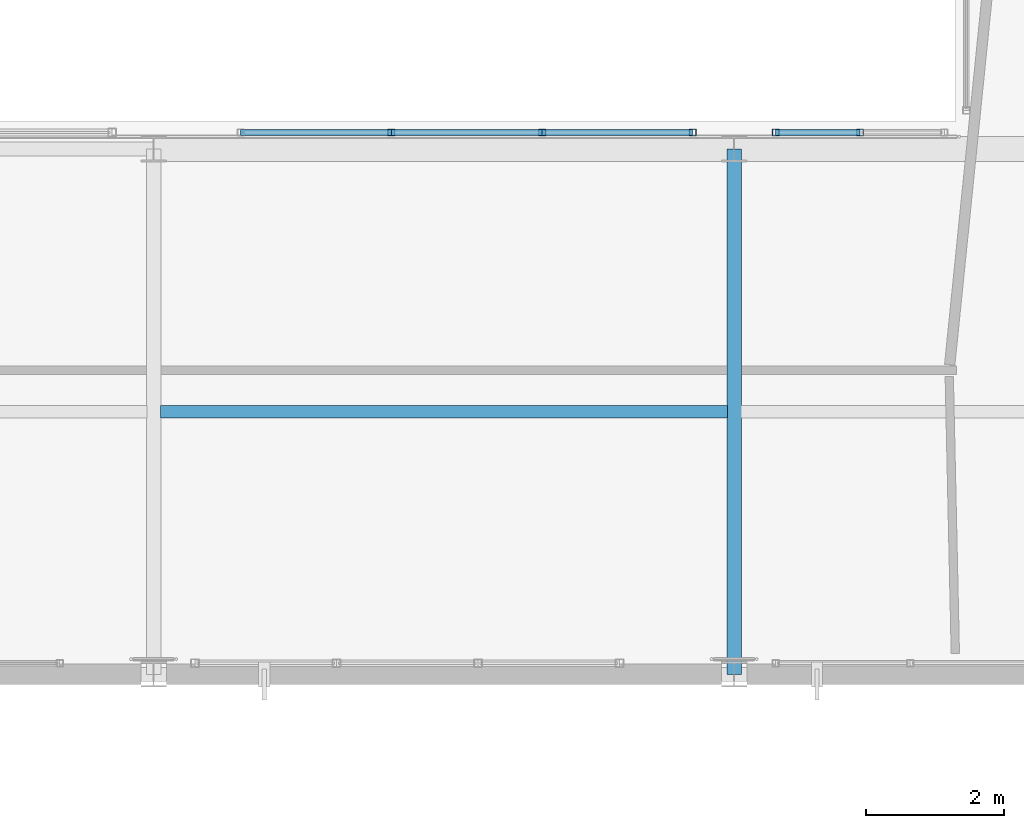
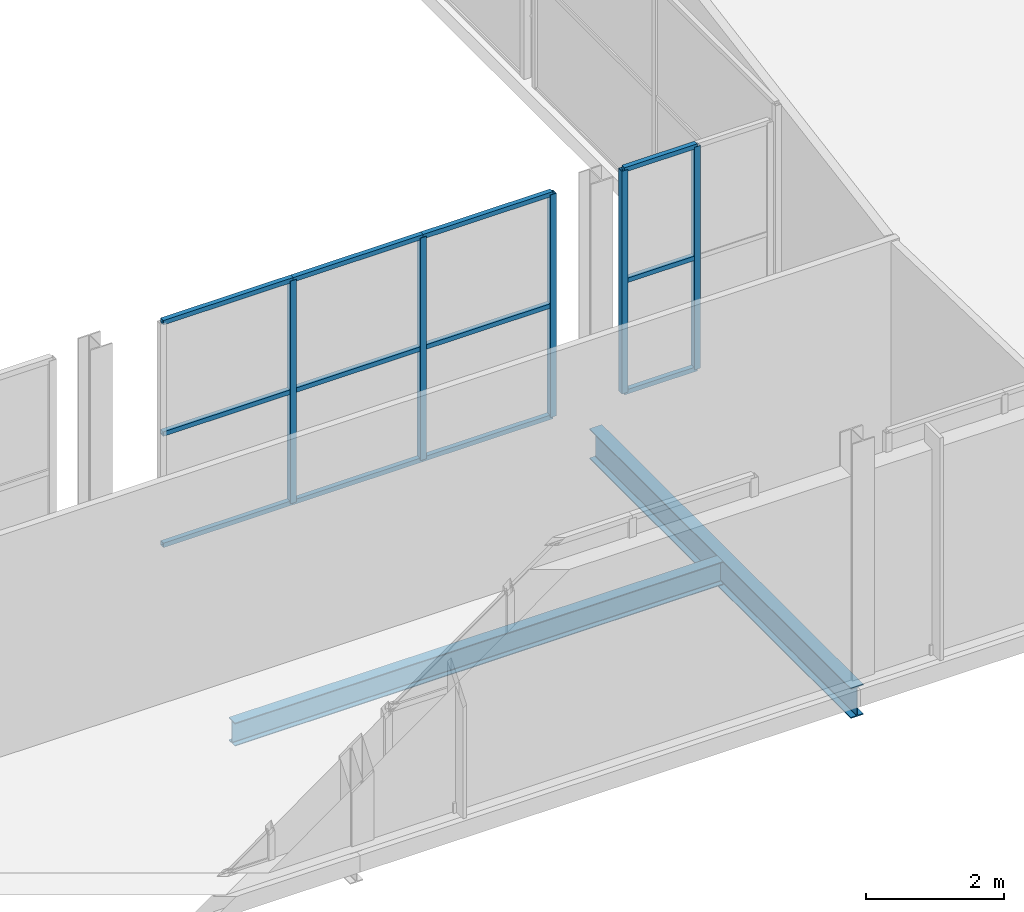
# One storey, part 138 of 217: 17 members, 2 beams, 2 elements without a shape of their own.
"""IFC4 building model written with IfcOpenShell, lengths in metres."""

from ifc_helpers import new_model, si_unit, direction, frame, origin, origin_2d, place, context, subcontext, project, spatial, hollow_rectangle, i_section, extrude, material, material_profile, profile_set, type_object, element, aggregate, save


model = new_model("IFC4")

# Units and contexts
model_context = context("Model", 3, precision=1e-05, world=origin(), true_north=direction((0.0, 1.0)))
body_context = subcontext(model_context, "Body", "Model", "MODEL_VIEW")
ifc_project = project(units=[si_unit("LENGTHUNIT", "METRE"), si_unit("AREAUNIT", "SQUARE_METRE"), si_unit("VOLUMEUNIT", "CUBIC_METRE"), si_unit("PLANEANGLEUNIT", "RADIAN"), si_unit("MASSUNIT", "GRAM", prefix="KILO")], contexts=[model_context])

# Site, building, storey
site_placement = place(None, origin())
site = spatial("IfcSite", under=ifc_project, at=site_placement, CompositionType="ELEMENT")
building_placement = place(site_placement, origin())
building = spatial("IfcBuilding", under=site, at=building_placement, Name="Zuvorla Pavilion Media Centre", CompositionType="ELEMENT")
storey_placement = place(building_placement, frame((0.0, 0.0, 9.60009765625)))
storey = spatial("IfcBuildingStorey", under=building, at=storey_placement, Name="L02", CompositionType="ELEMENT", Elevation=9.60009765625)

# Beams
ifc_material_1 = material(Name="Steel S355", Category="steel")
ifc_material_profile_1 = material_profile(ifc_material_1, i_section(OverallWidth=0.1787109375, OverallDepth=0.409423828125, WebThickness=0.0087890625, FlangeThickness=0.014404296875, FilletRadius=0.01025390625, at=origin_2d()), Name="UB 406x178x67")
ifc_profile_set_1 = profile_set([ifc_material_profile_1], Name="Steel S355")
beam_type_1 = type_object("IfcBeamType", Name="BM-UB406", PredefinedType="JOIST", material=ifc_profile_set_1)
beam_1_placement = place(storey_placement, frame((142.5, 47.800048828125, -0.472900390625), z_axis=(1.0, 0.0, 0.0), x_axis=(0.0, 1.0, 0.0)))
element("IfcBeam", 1, at=beam_1_placement, inside=storey, type_object=beam_type_1, Name="L02 joist J02 1038", PredefinedType="JOIST", context=body_context, shape_type="SweptSolid", body=[
    extrude(i_section(OverallWidth=0.1787109375, OverallDepth=0.409423828125, WebThickness=0.0087890625, FlangeThickness=0.014404296875, FilletRadius=0.01025390625, at=origin_2d()), origin(), (0.0, 0.0, 1.0), 8.199951171875),
])
ifc_material_profile_2 = material_profile(ifc_material_1, i_section(OverallWidth=0.2099609375, OverallDepth=0.53662109375, WebThickness=0.0107421875, FlangeThickness=0.017333984375, FilletRadius=0.0126953125, at=origin_2d()), Name="UB 533x210x101")
ifc_profile_set_2 = profile_set([ifc_material_profile_2], Name="Steel S355")
beam_type_2 = type_object("IfcBeamType", Name="BM-UB533", PredefinedType="BEAM", material=ifc_profile_set_2)
beam_2_placement = place(storey_placement, frame((150.800048828125, 44.0, -0.536376953125), z_axis=(0.0, 1.0, 0.0), x_axis=(-1.0, 0.0, 0.0)))
element("IfcBeam", 2, at=beam_2_placement, inside=storey, type_object=beam_type_2, Name="L02 beam B08 969", PredefinedType="BEAM", context=body_context, shape_type="SweptSolid", body=[
    extrude(i_section(OverallWidth=0.2099609375, OverallDepth=0.53662109375, WebThickness=0.0107421875, FlangeThickness=0.017333984375, FilletRadius=0.0126953125, at=origin_2d()), origin(), (0.0, 0.0, 1.0), 7.60009765625),
])

# Curtain wall, members
ifc_material_2 = material(Name="Unitised anodised aluminium and solar glass curtain wall", Category="aluminium")
curtain_wall_type_1 = type_object("IfcCurtainWallType", Name="CW-SYS-21", PredefinedType="USERDEFINED", material=ifc_material_2)
curtain_wall_1_placement = place(storey_placement, origin())
curtain_wall_1 = element("IfcCurtainWall", 3, at=curtain_wall_1_placement, inside=storey, type_object=curtain_wall_type_1, Name="L02 curtain wall CW21 84", ObjectType="CURTAIN WALL", PredefinedType="USERDEFINED")
ifc_material_3 = material(Name="Anodised aluminium 6063-T6", Category="aluminium")
ifc_material_profile_3 = material_profile(ifc_material_3, hollow_rectangle(XDim=0.10009765625, YDim=0.10009765625, WallThickness=0.00439453125, at=origin_2d()), Name="ALU MULL 100x100")
ifc_profile_set_3 = profile_set([ifc_material_profile_3], Name="Anodised aluminium 6063-T6")
member_type_1 = type_object("IfcMemberType", Name="CW-MULL-100", PredefinedType="MULLION", material=ifc_profile_set_3)
member_1_placement = place(storey_placement, frame((145.83984375, 51.840087890625, 0.0), z_axis=(0.0, 0.0, 1.0), x_axis=(1.0, 0.0, 0.0)))
member_1 = element("IfcMember", 4, at=member_1_placement, type_object=member_type_1, Name="CW21 mullion 2", PredefinedType="MULLION", context=body_context, shape_type="SweptSolid", body=[
    extrude(hollow_rectangle(XDim=0.10009765625, YDim=0.10009765625, WallThickness=0.00439453125, at=origin_2d()), origin(), (0.0, 0.0, 1.0), 3.949951171875),
])
member_2_placement = place(storey_placement, frame((148.019775390625, 51.840087890625, 0.0), z_axis=(0.0, 0.0, 1.0), x_axis=(1.0, 0.0, 0.0)))
member_2 = element("IfcMember", 5, at=member_2_placement, type_object=member_type_1, Name="CW21 mullion 3", PredefinedType="MULLION", context=body_context, shape_type="SweptSolid", body=[
    extrude(hollow_rectangle(XDim=0.10009765625, YDim=0.10009765625, WallThickness=0.00439453125, at=origin_2d()), origin(), (0.0, 0.0, 1.0), 3.949951171875),
])
member_3_placement = place(storey_placement, frame((150.19970703125, 51.840087890625, 0.0), z_axis=(0.0, 0.0, 1.0), x_axis=(1.0, 0.0, 0.0)))
member_3 = element("IfcMember", 6, at=member_3_placement, type_object=member_type_1, Name="CW21 mullion 4", PredefinedType="MULLION", context=body_context, shape_type="SweptSolid", body=[
    extrude(hollow_rectangle(XDim=0.10009765625, YDim=0.10009765625, WallThickness=0.00439453125, at=origin_2d()), origin(), (0.0, 0.0, 1.0), 3.949951171875),
])

curtain_wall_type_2 = type_object("IfcCurtainWallType", Name="CW-SYS-56", PredefinedType="USERDEFINED", material=ifc_material_2)
curtain_wall_2_placement = place(storey_placement, origin())
curtain_wall_2 = element("IfcCurtainWall", 7, at=curtain_wall_2_placement, inside=storey, type_object=curtain_wall_type_2, Name="L02 curtain wall CW56 85", ObjectType="CURTAIN WALL", PredefinedType="USERDEFINED")
member_4_placement = place(storey_placement, frame((151.400146484375, 51.840087890625, 0.0), z_axis=(0.0, 0.0, 1.0), x_axis=(1.0, 0.0, 0.0)))
member_4 = element("IfcMember", 8, at=member_4_placement, type_object=member_type_1, Name="CW56 mullion 1", PredefinedType="MULLION", context=body_context, shape_type="SweptSolid", body=[
    extrude(hollow_rectangle(XDim=0.10009765625, YDim=0.10009765625, WallThickness=0.00439453125, at=origin_2d()), origin(), (0.0, 0.0, 1.0), 3.949951171875),
])
member_5_placement = place(storey_placement, frame((152.6201171875, 51.840087890625, 0.0), z_axis=(0.0, 0.0, 1.0), x_axis=(1.0, 0.0, 0.0)))
member_5 = element("IfcMember", 9, at=member_5_placement, type_object=member_type_1, Name="CW56 mullion 2", PredefinedType="MULLION", context=body_context, shape_type="SweptSolid", body=[
    extrude(hollow_rectangle(XDim=0.10009765625, YDim=0.10009765625, WallThickness=0.00439453125, at=origin_2d()), origin(), (0.0, 0.0, 1.0), 3.949951171875),
])

# Member
ifc_material_profile_4 = material_profile(ifc_material_3, hollow_rectangle(XDim=0.080078125, YDim=0.080078125, WallThickness=0.00390625, at=origin_2d()), Name="ALU TRAN 80x80")
ifc_profile_set_4 = profile_set([ifc_material_profile_4], Name="Anodised aluminium 6063-T6")
member_type_2 = type_object("IfcMemberType", Name="CW-TRAN-80", PredefinedType="USERDEFINED", material=ifc_profile_set_4)
member_6_placement = place(storey_placement, frame((143.659912109375, 51.840087890625, 0.0), z_axis=(1.0, 0.0, 0.0), x_axis=(0.0, 1.0, 0.0)))
member_6 = element("IfcMember", 10, at=member_6_placement, type_object=member_type_2, Name="CW21 transom 1.1", ObjectType="TRANSOM", PredefinedType="USERDEFINED", context=body_context, shape_type="SweptSolid", body=[
    extrude(hollow_rectangle(XDim=0.080078125, YDim=0.080078125, WallThickness=0.00390625, at=origin_2d()), origin(), (0.0, 0.0, 1.0), 2.179931640625),
])

member_7_placement = place(storey_placement, frame((143.659912109375, 51.840087890625, 1.974853515625), z_axis=(1.0, 0.0, 0.0), x_axis=(0.0, 1.0, 0.0)))
member_7 = element("IfcMember", 11, at=member_7_placement, type_object=member_type_2, Name="CW21 transom 1.2", ObjectType="TRANSOM", PredefinedType="USERDEFINED", context=body_context, shape_type="SweptSolid", body=[
    extrude(hollow_rectangle(XDim=0.080078125, YDim=0.080078125, WallThickness=0.00390625, at=origin_2d()), origin(), (0.0, 0.0, 1.0), 2.179931640625),
])

member_8_placement = place(storey_placement, frame((143.659912109375, 51.840087890625, 3.949951171875), z_axis=(1.0, 0.0, 0.0), x_axis=(0.0, 1.0, 0.0)))
member_8 = element("IfcMember", 12, at=member_8_placement, type_object=member_type_2, Name="CW21 transom 1.3", ObjectType="TRANSOM", PredefinedType="USERDEFINED", context=body_context, shape_type="SweptSolid", body=[
    extrude(hollow_rectangle(XDim=0.080078125, YDim=0.080078125, WallThickness=0.00390625, at=origin_2d()), origin(), (0.0, 0.0, 1.0), 2.179931640625),
])

member_9_placement = place(storey_placement, frame((145.83984375, 51.840087890625, 0.0), z_axis=(1.0, 0.0, 0.0), x_axis=(0.0, 1.0, 0.0)))
member_9 = element("IfcMember", 13, at=member_9_placement, type_object=member_type_2, Name="CW21 transom 2.1", ObjectType="TRANSOM", PredefinedType="USERDEFINED", context=body_context, shape_type="SweptSolid", body=[
    extrude(hollow_rectangle(XDim=0.080078125, YDim=0.080078125, WallThickness=0.00390625, at=origin_2d()), origin(), (0.0, 0.0, 1.0), 2.179931640625),
])

member_10_placement = place(storey_placement, frame((145.83984375, 51.840087890625, 1.974853515625), z_axis=(1.0, 0.0, 0.0), x_axis=(0.0, 1.0, 0.0)))
member_10 = element("IfcMember", 14, at=member_10_placement, type_object=member_type_2, Name="CW21 transom 2.2", ObjectType="TRANSOM", PredefinedType="USERDEFINED", context=body_context, shape_type="SweptSolid", body=[
    extrude(hollow_rectangle(XDim=0.080078125, YDim=0.080078125, WallThickness=0.00390625, at=origin_2d()), origin(), (0.0, 0.0, 1.0), 2.179931640625),
])

member_11_placement = place(storey_placement, frame((145.83984375, 51.840087890625, 3.949951171875), z_axis=(1.0, 0.0, 0.0), x_axis=(0.0, 1.0, 0.0)))
member_11 = element("IfcMember", 15, at=member_11_placement, type_object=member_type_2, Name="CW21 transom 2.3", ObjectType="TRANSOM", PredefinedType="USERDEFINED", context=body_context, shape_type="SweptSolid", body=[
    extrude(hollow_rectangle(XDim=0.080078125, YDim=0.080078125, WallThickness=0.00390625, at=origin_2d()), origin(), (0.0, 0.0, 1.0), 2.179931640625),
])

member_12_placement = place(storey_placement, frame((148.019775390625, 51.840087890625, 0.0), z_axis=(1.0, 0.0, 0.0), x_axis=(0.0, 1.0, 0.0)))
member_12 = element("IfcMember", 16, at=member_12_placement, type_object=member_type_2, Name="CW21 transom 3.1", ObjectType="TRANSOM", PredefinedType="USERDEFINED", context=body_context, shape_type="SweptSolid", body=[
    extrude(hollow_rectangle(XDim=0.080078125, YDim=0.080078125, WallThickness=0.00390625, at=origin_2d()), origin(), (0.0, 0.0, 1.0), 2.179931640625),
])

member_13_placement = place(storey_placement, frame((148.019775390625, 51.840087890625, 1.974853515625), z_axis=(1.0, 0.0, 0.0), x_axis=(0.0, 1.0, 0.0)))
member_13 = element("IfcMember", 17, at=member_13_placement, type_object=member_type_2, Name="CW21 transom 3.2", ObjectType="TRANSOM", PredefinedType="USERDEFINED", context=body_context, shape_type="SweptSolid", body=[
    extrude(hollow_rectangle(XDim=0.080078125, YDim=0.080078125, WallThickness=0.00390625, at=origin_2d()), origin(), (0.0, 0.0, 1.0), 2.179931640625),
])

member_14_placement = place(storey_placement, frame((148.019775390625, 51.840087890625, 3.949951171875), z_axis=(1.0, 0.0, 0.0), x_axis=(0.0, 1.0, 0.0)))
member_14 = element("IfcMember", 18, at=member_14_placement, type_object=member_type_2, Name="CW21 transom 3.3", ObjectType="TRANSOM", PredefinedType="USERDEFINED", context=body_context, shape_type="SweptSolid", body=[
    extrude(hollow_rectangle(XDim=0.080078125, YDim=0.080078125, WallThickness=0.00390625, at=origin_2d()), origin(), (0.0, 0.0, 1.0), 2.179931640625),
])

aggregate(curtain_wall_1, [member_1, member_2, member_3, member_6, member_7, member_8, member_9, member_10, member_11, member_12, member_13, member_14])

member_15_placement = place(storey_placement, frame((151.400146484375, 51.840087890625, 0.0), z_axis=(1.0, 0.0, 0.0), x_axis=(0.0, 1.0, 0.0)))
member_15 = element("IfcMember", 19, at=member_15_placement, type_object=member_type_2, Name="CW56 transom 1.1", ObjectType="TRANSOM", PredefinedType="USERDEFINED", context=body_context, shape_type="SweptSolid", body=[
    extrude(hollow_rectangle(XDim=0.080078125, YDim=0.080078125, WallThickness=0.00390625, at=origin_2d()), origin(), (0.0, 0.0, 1.0), 1.219970703125),
])

member_16_placement = place(storey_placement, frame((151.400146484375, 51.840087890625, 1.974853515625), z_axis=(1.0, 0.0, 0.0), x_axis=(0.0, 1.0, 0.0)))
member_16 = element("IfcMember", 20, at=member_16_placement, type_object=member_type_2, Name="CW56 transom 1.2", ObjectType="TRANSOM", PredefinedType="USERDEFINED", context=body_context, shape_type="SweptSolid", body=[
    extrude(hollow_rectangle(XDim=0.080078125, YDim=0.080078125, WallThickness=0.00390625, at=origin_2d()), origin(), (0.0, 0.0, 1.0), 1.219970703125),
])

member_17_placement = place(storey_placement, frame((151.400146484375, 51.840087890625, 3.949951171875), z_axis=(1.0, 0.0, 0.0), x_axis=(0.0, 1.0, 0.0)))
member_17 = element("IfcMember", 21, at=member_17_placement, type_object=member_type_2, Name="CW56 transom 1.3", ObjectType="TRANSOM", PredefinedType="USERDEFINED", context=body_context, shape_type="SweptSolid", body=[
    extrude(hollow_rectangle(XDim=0.080078125, YDim=0.080078125, WallThickness=0.00390625, at=origin_2d()), origin(), (0.0, 0.0, 1.0), 1.219970703125),
])

aggregate(curtain_wall_2, [member_4, member_5, member_15, member_16, member_17])

save(model, "model.ifc")
